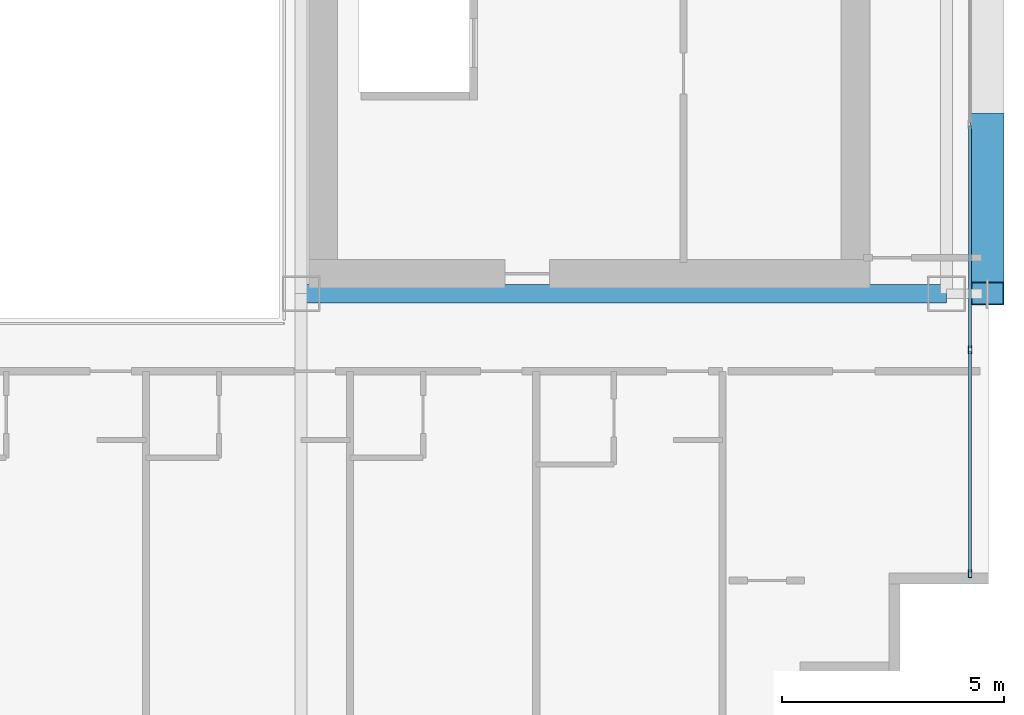
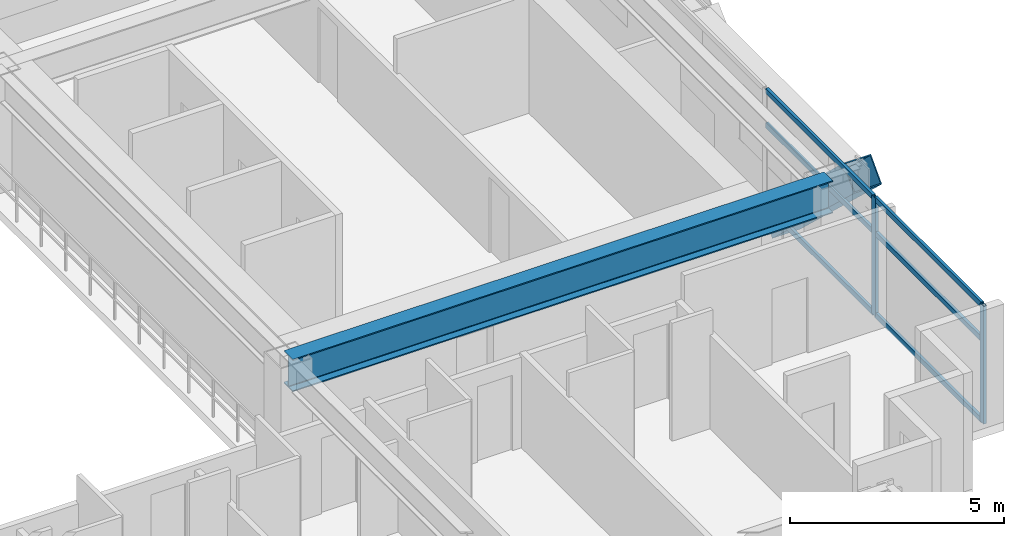
# One storey, part 11 of 35: 9 members, 1 beam, 1 element without a shape of its own.
"""IFC4 building model written with IfcOpenShell, lengths in metres."""

import ifcopenshell
import ifcopenshell.guid

model = None  # the IFC model being written
_history = None  # IfcOwnerHistory: only IFC2X3 demands one
_inside = {}  # id of a spatial element -> (the spatial element, [elements in it])
_under = {}  # id of a project, library or spatial element -> (it, [spatial elements below it])
_declared = {}  # id of a project -> (the project, [libraries it declares])
_typed = {}  # id of a type object -> (the type object, [elements of that type])
_made_of = {}  # id of a material, layer set ... -> (it, [elements and type objects made of it])


def new_model(schema):
    """Start an empty IFC model of exactly this schema.

    Asked for "IFC4X3", IfcOpenShell would pick the latest addendum, in which some entities
    have other attributes; the version numbers below select the first issue.
    IFC2X3 requires an IfcOwnerHistory on every rooted entity: one is made here for all.
    """
    global model, _history
    if schema == "IFC4X3":
        model = ifcopenshell.file(schema_version=(4, 3, 0, 0))
    else:
        model = ifcopenshell.file(schema=schema)
    _inside.clear()
    _under.clear()
    _declared.clear()
    _typed.clear()
    _made_of.clear()
    _history = None
    if model.schema == "IFC2X3":
        org = make("IfcOrganization", Name="unknown")
        user = make(
            "IfcPersonAndOrganization",
            ThePerson=make("IfcPerson", FamilyName="unknown"),
            TheOrganization=org,
        )
        app = make(
            "IfcApplication",
            ApplicationDeveloper=org,
            Version="unknown",
            ApplicationFullName="unknown",
            ApplicationIdentifier="unknown",
        )
        _history = make(
            "IfcOwnerHistory",
            OwningUser=user,
            OwningApplication=app,
            ChangeAction="ADDED",
            CreationDate=0,
        )
    return model


def make(cls, **values):
    """One entity of the class cls with the attributes given. An attribute that is None is left unset."""
    return model.create_entity(
        cls, **{name: value for name, value in values.items() if value is not None}
    )


def rooted(cls, **values):
    """An entity with a GlobalId (a new one), such as an element, a storey or a relation."""
    return make(cls, GlobalId=ifcopenshell.guid.new(), OwnerHistory=_history, **values)


def si_unit(unit_type, name, prefix=None):
    """IfcSIUnit, for example si_unit("LENGTHUNIT", "METRE", prefix="MILLI")."""
    return make("IfcSIUnit", UnitType=unit_type, Prefix=prefix, Name=name)


def assignment(units):
    """IfcUnitAssignment: the units of a project."""
    return None if units is None else make("IfcUnitAssignment", Units=units)


def point(xyz):
    """IfcCartesianPoint."""
    return None if xyz is None else make("IfcCartesianPoint", Coordinates=xyz)


def direction(xyz):
    """IfcDirection."""
    return None if xyz is None else make("IfcDirection", DirectionRatios=xyz)


def frame(location, z_axis=None, x_axis=None):
    """IfcAxis2Placement3D, a coordinate frame: its origin and axes. An axis left out is left unset."""
    return make(
        "IfcAxis2Placement3D",
        Location=point(location),
        Axis=direction(z_axis),
        RefDirection=direction(x_axis),
    )


def frame_2d(location, x_axis=None):
    """IfcAxis2Placement2D, a coordinate frame in the plane: its origin and x axis."""
    return make(
        "IfcAxis2Placement2D", Location=point(location), RefDirection=direction(x_axis)
    )


def origin():
    """The frame at (0, 0, 0) with its axes left unset."""
    return frame((0.0, 0.0, 0.0))


def origin_2d():
    """The frame at (0, 0) in the plane with its x axis left unset."""
    return frame_2d((0.0, 0.0))


def place(relative_to, where):
    """IfcLocalPlacement: puts the frame where relative to a parent placement (None: the world)."""
    return make(
        "IfcLocalPlacement", PlacementRelTo=relative_to, RelativePlacement=where
    )


def context(
    kind, dimensions, precision=None, world=None, true_north=None, identifier=None
):
    """IfcGeometricRepresentationContext, for example the 3D "Model" context."""
    return make(
        "IfcGeometricRepresentationContext",
        ContextIdentifier=identifier,
        ContextType=kind,
        CoordinateSpaceDimension=dimensions,
        Precision=precision,
        WorldCoordinateSystem=world,
        TrueNorth=true_north,
    )


def subcontext(parent, identifier, kind, view, scale=None):
    """IfcGeometricRepresentationSubContext, for example "Body" below "Model"."""
    return make(
        "IfcGeometricRepresentationSubContext",
        ContextIdentifier=identifier,
        ContextType=kind,
        ParentContext=parent,
        TargetScale=scale,
        TargetView=view,
    )


def project(units=None, contexts=None):
    """IfcProject with its units and contexts."""
    return rooted(
        "IfcProject",
        Name="project",
        RepresentationContexts=contexts,
        UnitsInContext=assignment(units),
    )


def spatial(cls, under=None, at=None, **own):
    """A site, building, storey or space (cls), placed at a placement, below another one or the project."""
    s = rooted(cls, ObjectPlacement=at, **own)
    if under is not None:
        _under.setdefault(under.id(), (under, []))[1].append(s)
    return s


def profile(cls, at=None, kind="AREA", **sizes):
    """A parametric profile (cls). Its sizes go by their IFC names, for example OverallWidth=200.0."""
    return make(cls, ProfileType=kind, Position=at, **sizes)


def hollow_rectangle(**sizes):
    """IfcRectangleHollowProfileDef."""
    return profile("IfcRectangleHollowProfileDef", **sizes)


def i_section(**sizes):
    """IfcIShapeProfileDef."""
    return profile("IfcIShapeProfileDef", **sizes)


def extrude(swept, where, along, depth):
    """IfcExtrudedAreaSolid: the profile swept, set in the frame where, extruded along a direction by depth."""
    return make(
        "IfcExtrudedAreaSolid",
        SweptArea=swept,
        Position=where,
        ExtrudedDirection=direction(along),
        Depth=depth,
    )


def shape(context_of_items, identifier, shape_type, items):
    """IfcShapeRepresentation: the items that make up one representation, for example the "Body"."""
    return make(
        "IfcShapeRepresentation",
        ContextOfItems=context_of_items,
        RepresentationIdentifier=identifier,
        RepresentationType=shape_type,
        Items=items,
    )


def source(mapping_origin, context_of_items, identifier, shape_type, items):
    """IfcRepresentationMap: a shape defined once, which mapped items show again and again."""
    return make(
        "IfcRepresentationMap",
        MappingOrigin=mapping_origin,
        MappedRepresentation=shape(context_of_items, identifier, shape_type, items),
    )


def transform(
    local_origin,
    x_axis=None,
    y_axis=None,
    z_axis=None,
    scale=None,
    scale2=None,
    scale3=None,
    uniform=True,
):
    """IfcCartesianTransformationOperator3D, or its non-uniform kind. x_axis, y_axis, z_axis: its Axis1, 2, 3."""
    if uniform:
        return make(
            "IfcCartesianTransformationOperator3D",
            Axis1=direction(x_axis),
            Axis2=direction(y_axis),
            LocalOrigin=point(local_origin),
            Scale=scale,
            Axis3=direction(z_axis),
        )
    return make(
        "IfcCartesianTransformationOperator3DnonUniform",
        Axis1=direction(x_axis),
        Axis2=direction(y_axis),
        LocalOrigin=point(local_origin),
        Scale=scale,
        Axis3=direction(z_axis),
        Scale2=scale2,
        Scale3=scale3,
    )


def mapped(mapping_source, mapping_target):
    """IfcMappedItem: shows the shape of a source again, moved by a transform."""
    return make(
        "IfcMappedItem", MappingSource=mapping_source, MappingTarget=mapping_target
    )


def material(Name=None, Category=None):
    """IfcMaterial."""
    return make("IfcMaterial", Name=Name, Category=Category)


def layer(
    of_material, thickness, ventilated=None, Name=None, Category=None, Priority=None
):
    """IfcMaterialLayer: one layer of a wall or slab, of a material (None: an air gap)."""
    return make(
        "IfcMaterialLayer",
        Material=of_material,
        LayerThickness=thickness,
        IsVentilated=ventilated,
        Name=Name,
        Category=Category,
        Priority=Priority,
    )


def layer_set(layers, Name=None):
    """IfcMaterialLayerSet."""
    return make("IfcMaterialLayerSet", MaterialLayers=layers, LayerSetName=Name)


def material_profile(
    of_material, cross_section, Name=None, Category=None, Priority=None
):
    """IfcMaterialProfile: a cross section and its material."""
    return make(
        "IfcMaterialProfile",
        Name=Name,
        Material=of_material,
        Profile=cross_section,
        Priority=Priority,
        Category=Category,
    )


def profile_set(profiles, Name=None, composite=None):
    """IfcMaterialProfileSet."""
    return make(
        "IfcMaterialProfileSet",
        Name=Name,
        MaterialProfiles=profiles,
        CompositeProfile=composite,
    )


def made_of(thing, what):
    """Note that an element or type object is made of a material, layer set ...; save() writes the relation."""
    if what is not None:
        _made_of.setdefault(what.id(), (what, []))[1].append(thing)
    return thing


def type_object(cls, material=None, **own):
    """A type object (cls), such as IfcWallType, which elements share."""
    return made_of(rooted(cls, **own), material)


def element(
    cls,
    number,
    at=None,
    inside=None,
    cuts=None,
    type_object=None,
    material=None,
    context=None,
    identifier="Body",
    shape_type=None,
    held_by="IfcProductDefinitionShape",
    body=None,
    shapes=None,
    **own,
):
    """One element of the class cls, such as IfcWall. Its Tag is "e" and its number.

    at: its placement. inside: the storey or other place that contains it. cuts: it is an
    opening in that element (IfcRelVoidsElement). A single representation is given by context,
    identifier, shape_type and body (its items); several are given by shapes. held_by: the class
    of the entity that holds the representations. save() writes the other relations.
    """
    e = rooted(cls, Tag="e%d" % number, ObjectPlacement=at, **own)
    if body is not None:
        shapes = [shape(context, identifier, shape_type, body)]
    if shapes is not None:
        e.Representation = make(held_by, Representations=shapes)
    if inside is not None:
        _inside.setdefault(inside.id(), (inside, []))[1].append(e)
    if cuts is not None:
        rooted(
            "IfcRelVoidsElement", RelatingBuildingElement=cuts, RelatedOpeningElement=e
        )
    if type_object is not None:
        _typed.setdefault(type_object.id(), (type_object, []))[1].append(e)
    return made_of(e, material)


def aggregate(whole, parts):
    """IfcRelAggregates: a whole, such as a stair, and the parts it consists of."""
    return rooted("IfcRelAggregates", RelatingObject=whole, RelatedObjects=parts)


def save(model, path):
    """Write the relations noted so far, then the file.

    IfcRelAggregates (storeys below a building ...), IfcRelContainedInSpatialStructure (elements
    in a storey), IfcRelDefinesByType, IfcRelAssociatesMaterial and IfcRelDeclares: one each for
    every whole, place, type object, material and project.
    """
    for whole, parts in _under.values():
        aggregate(whole, parts)
    for where, things in _inside.values():
        rooted(
            "IfcRelContainedInSpatialStructure",
            RelatedElements=things,
            RelatingStructure=where,
        )
    for kind, things in _typed.values():
        rooted("IfcRelDefinesByType", RelatedObjects=things, RelatingType=kind)
    for what, things in _made_of.values():
        rooted("IfcRelAssociatesMaterial", RelatedObjects=things, RelatingMaterial=what)
    for by, libraries in _declared.values():
        rooted("IfcRelDeclares", RelatingContext=by, RelatedDefinitions=libraries)
    model.write(path)


model = new_model("IFC4")

# Units and contexts
model_context = context("Model", 3, precision=1e-05, world=origin(), true_north=direction((0.0, 1.0)))
body_context = subcontext(model_context, "Body", "Model", "MODEL_VIEW")
ifc_project = project(units=[si_unit("LENGTHUNIT", "METRE"), si_unit("AREAUNIT", "SQUARE_METRE"), si_unit("VOLUMEUNIT", "CUBIC_METRE"), si_unit("PLANEANGLEUNIT", "RADIAN"), si_unit("MASSUNIT", "GRAM", prefix="KILO")], contexts=[model_context])

# Site, building, storey
site_placement = place(None, origin())
site = spatial("IfcSite", under=ifc_project, at=site_placement, CompositionType="ELEMENT")
building_placement = place(site_placement, origin())
building = spatial("IfcBuilding", under=site, at=building_placement, Name="Ocotamira Hotel", CompositionType="ELEMENT")
storey_placement = place(building_placement, frame((0.0, 0.0, 100.800048828125)))
storey = spatial("IfcBuildingStorey", under=building, at=storey_placement, Name="L24", CompositionType="ELEMENT", Elevation=100.800048828125)

# Beam
ifc_material_1 = material(Name="Steel ASTM A992 Grade 50", Category="steel")
ifc_material_profile_1 = material_profile(ifc_material_1, i_section(OverallWidth=0.41796875, OverallDepth=0.927001953125, WebThickness=0.019287109375, FlangeThickness=0.031982421875, FilletRadius=0.02392578125, at=origin_2d()), Name="W36X231")
ifc_profile_set_1 = profile_set([ifc_material_profile_1], Name="Steel ASTM A992 Grade 50")
beam_type = type_object("IfcBeamType", Name="BM-GIRD-W36X231", PredefinedType="BEAM", material=ifc_profile_set_1)
shared_shape_1 = source(origin(), body_context, "Body", "SweptSolid", [
    extrude(i_section(OverallWidth=0.41796875, OverallDepth=0.927001953125, WebThickness=0.019287109375, FlangeThickness=0.031982421875, FilletRadius=0.02392578125, at=origin_2d()), origin(), (0.0, 0.0, 1.0), 14.550048828125),
])
beam_placement = place(storey_placement, frame((40.5, 14.550048828125, 2.896484375), z_axis=(1.0, 0.0, 0.0), x_axis=(0.0, 1.0, 0.0)))
element("IfcBeam", 1, at=beam_placement, inside=storey, type_object=beam_type, Name="L24 Girder Y14.55 X40.5-55.05", PredefinedType="BEAM", context=body_context, shape_type="MappedRepresentation", body=[
    mapped(shared_shape_1, transform((0.0, 0.0, 0.0), scale=1.0)),
])

# Member
ifc_material_2 = material(Name="Pale-metal coated steel ASTM A913 Grade 65", Category="steel")
ifc_material_profile_2 = material_profile(ifc_material_2, hollow_rectangle(XDim=0.75, YDim=0.75, WallThickness=0.028076171875, at=origin_2d()), Name="BOX750X750X28")
ifc_profile_set_2 = profile_set([ifc_material_profile_2], Name="Pale-metal coated steel ASTM A913 Grade 65")
member_type_1 = type_object("IfcMemberType", Name="MEM-EXO-BOX750", PredefinedType="BRACE", material=ifc_profile_set_2)
shared_shape_2 = source(origin(), body_context, "Body", "SweptSolid", [
    extrude(hollow_rectangle(XDim=0.75, YDim=0.75, WallThickness=0.028076171875, at=origin_2d()), origin(), (0.0, 0.0, 1.0), 5.24658203125),
])
member_1_placement = place(storey_placement, frame((55.969970703125, 18.36669921875, -0.489990234375), z_axis=(0.0, -0.72746596067, 0.686143772154), x_axis=(1.0, 0.0, 0.0)))
element("IfcMember", 2, at=member_1_placement, inside=storey, type_object=member_type_1, Name="L24 Exoskeleton Diagrid E0.1", PredefinedType="BRACE", context=body_context, shape_type="MappedRepresentation", body=[
    mapped(shared_shape_2, transform((0.0, 0.0, 0.0), scale=1.0)),
])

# Curtain wall, members
ifc_material_3 = material(Name="Anodised pale-metal aluminium and solar glass", Category="aluminium")
ifc_layer = layer(ifc_material_3, 0.179931640625)
ifc_layer_set = layer_set([ifc_layer], Name="Anodised pale-metal aluminium and solar glass")
curtain_wall_type = type_object("IfcCurtainWallType", Name="CW-SYS3-Z2", PredefinedType="NOTDEFINED", material=ifc_layer_set)
curtain_wall_placement = place(storey_placement, origin())
curtain_wall = element("IfcCurtainWall", 3, at=curtain_wall_placement, inside=storey, type_object=curtain_wall_type, Name="L24 Curtain Wall CW-3 CW-L24-E", PredefinedType="NOTDEFINED")
ifc_material_4 = material(Name="Anodised pale-metal aluminium 6063-T6", Category="aluminium")
ifc_material_profile_3 = material_profile(ifc_material_4, hollow_rectangle(XDim=0.074951171875, YDim=0.14990234375, WallThickness=0.006103515625, at=origin_2d()), Name="HSS150X75X6")
ifc_profile_set_3 = profile_set([ifc_material_profile_3], Name="Anodised pale-metal aluminium 6063-T6")
member_type_2 = type_object("IfcMemberType", Name="CWT-150X75", PredefinedType="USERDEFINED", material=ifc_profile_set_3)
shared_shape_3 = source(origin(), body_context, "Body", "SweptSolid", [
    extrude(hollow_rectangle(XDim=0.074951171875, YDim=0.14990234375, WallThickness=0.006103515625, at=origin_2d()), origin(), (0.0, 0.0, 1.0), 4.965576171875),
])
member_2_placement = place(storey_placement, frame((55.580078125, 8.280029296875, 0.037353515625), z_axis=(0.0, 1.0, 0.0), x_axis=(-1.0, 0.0, 0.0)))
member_2 = element("IfcMember", 4, at=member_2_placement, type_object=member_type_2, Name="CW-3 transom 1.1", ObjectType="TRANSOM", PredefinedType="USERDEFINED", context=body_context, shape_type="MappedRepresentation", body=[
    mapped(shared_shape_3, transform((0.0, 0.0, 0.0), scale=1.0)),
])
member_3_placement = place(storey_placement, frame((55.580078125, 8.280029296875, 2.349853515625), z_axis=(0.0, 1.0, 0.0), x_axis=(-1.0, 0.0, 0.0)))
member_3 = element("IfcMember", 5, at=member_3_placement, type_object=member_type_2, Name="CW-3 transom 1.2", ObjectType="TRANSOM", PredefinedType="USERDEFINED", context=body_context, shape_type="MappedRepresentation", body=[
    mapped(shared_shape_3, transform((0.0, 0.0, 0.0), scale=1.0)),
])
member_4_placement = place(storey_placement, frame((55.580078125, 8.280029296875, 3.322509765625), z_axis=(0.0, 1.0, 0.0), x_axis=(-1.0, 0.0, 0.0)))
member_4 = element("IfcMember", 6, at=member_4_placement, type_object=member_type_2, Name="CW-3 transom 1.3", ObjectType="TRANSOM", PredefinedType="USERDEFINED", context=body_context, shape_type="MappedRepresentation", body=[
    mapped(shared_shape_3, transform((0.0, 0.0, 0.0), scale=1.0)),
])
shared_shape_4 = source(origin(), body_context, "Body", "SweptSolid", [
    extrude(hollow_rectangle(XDim=0.074951171875, YDim=0.14990234375, WallThickness=0.006103515625, at=origin_2d()), origin(), (0.0, 0.0, 1.0), 5.005859375),
])
member_5_placement = place(storey_placement, frame((55.580078125, 13.32568359375, 0.037353515625), z_axis=(0.0, 1.0, 0.0), x_axis=(-1.0, 0.0, 0.0)))
member_5 = element("IfcMember", 7, at=member_5_placement, type_object=member_type_2, Name="CW-3 transom 2.1", ObjectType="TRANSOM", PredefinedType="USERDEFINED", context=body_context, shape_type="MappedRepresentation", body=[
    mapped(shared_shape_4, transform((0.0, 0.0, 0.0), scale=1.0)),
])
member_6_placement = place(storey_placement, frame((55.580078125, 13.32568359375, 2.349853515625), z_axis=(0.0, 1.0, 0.0), x_axis=(-1.0, 0.0, 0.0)))
member_6 = element("IfcMember", 8, at=member_6_placement, type_object=member_type_2, Name="CW-3 transom 2.2", ObjectType="TRANSOM", PredefinedType="USERDEFINED", context=body_context, shape_type="MappedRepresentation", body=[
    mapped(shared_shape_4, transform((0.0, 0.0, 0.0), scale=1.0)),
])
member_7_placement = place(storey_placement, frame((55.580078125, 13.32568359375, 3.322509765625), z_axis=(0.0, 1.0, 0.0), x_axis=(-1.0, 0.0, 0.0)))
member_7 = element("IfcMember", 9, at=member_7_placement, type_object=member_type_2, Name="CW-3 transom 2.3", ObjectType="TRANSOM", PredefinedType="USERDEFINED", context=body_context, shape_type="MappedRepresentation", body=[
    mapped(shared_shape_4, transform((0.0, 0.0, 0.0), scale=1.0)),
])
ifc_material_profile_4 = material_profile(ifc_material_4, hollow_rectangle(XDim=0.080078125, YDim=0.179931640625, WallThickness=0.006103515625, at=origin_2d()), Name="HSS180X80X6")
ifc_profile_set_4 = profile_set([ifc_material_profile_4], Name="Anodised pale-metal aluminium 6063-T6")
member_type_3 = type_object("IfcMemberType", Name="CWM-180X75", PredefinedType="MULLION", material=ifc_profile_set_4)
shared_shape_5 = source(origin(), body_context, "Body", "SweptSolid", [
    extrude(hollow_rectangle(XDim=0.080078125, YDim=0.179931640625, WallThickness=0.006103515625, at=origin_2d()), origin(), (0.0, 0.0, 1.0), 3.35986328125),
])
member_8_placement = place(storey_placement, frame((55.580078125, 8.239990234375, 0.0), z_axis=(0.0, 0.0, 1.0), x_axis=(-1.0, 0.0, 0.0)))
member_8 = element("IfcMember", 10, at=member_8_placement, type_object=member_type_3, Name="CW-3 mullion 1", PredefinedType="MULLION", context=body_context, shape_type="MappedRepresentation", body=[
    mapped(shared_shape_5, transform((0.0, 0.0, 0.0), scale=1.0)),
])
member_9_placement = place(storey_placement, frame((55.580078125, 13.28564453125, 0.0), z_axis=(0.0, 0.0, 1.0), x_axis=(-1.0, 0.0, 0.0)))
member_9 = element("IfcMember", 11, at=member_9_placement, type_object=member_type_3, Name="CW-3 mullion 2", PredefinedType="MULLION", context=body_context, shape_type="MappedRepresentation", body=[
    mapped(shared_shape_5, transform((0.0, 0.0, 0.0), scale=1.0)),
])
aggregate(curtain_wall, [member_8, member_9, member_2, member_3, member_4, member_5, member_6, member_7])

save(model, "model.ifc")
